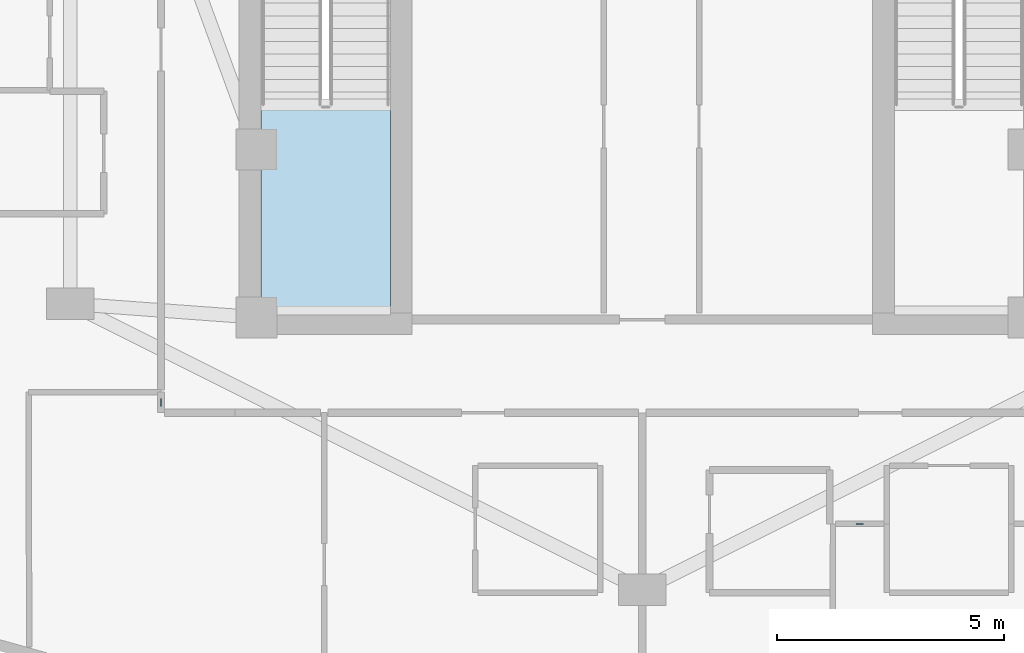
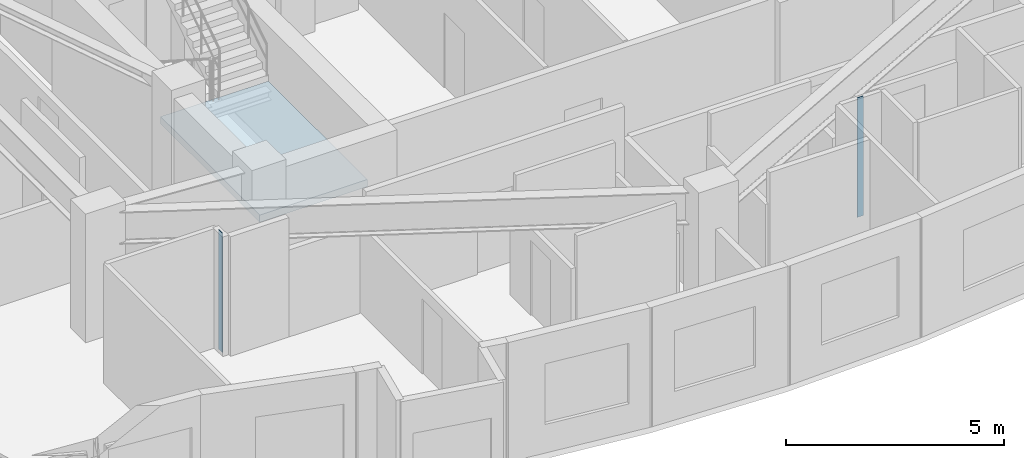
# One storey, part 2 of 13: 2 plates, 1 slab, 1 element without a shape of its own.
"""IFC4 building model written with IfcOpenShell, lengths in metres."""

from ifc_helpers import new_model, si_unit, direction, frame, origin, origin_2d, place, context, subcontext, project, spatial, polyline, rectangle, outline, extrude, material, layer, layer_set, type_object, element, aggregate, save


model = new_model("IFC4")

# Units and contexts
model_context = context("Model", 3, precision=1e-05, world=origin(), true_north=direction((0.0, 1.0)))
body_context = subcontext(model_context, "Body", "Model", "MODEL_VIEW")
ifc_project = project(units=[si_unit("LENGTHUNIT", "METRE"), si_unit("AREAUNIT", "SQUARE_METRE"), si_unit("VOLUMEUNIT", "CUBIC_METRE"), si_unit("PLANEANGLEUNIT", "RADIAN"), si_unit("MASSUNIT", "GRAM", prefix="KILO")], contexts=[model_context])

# Site, building, storey
site_placement = place(None, origin())
site = spatial("IfcSite", under=ifc_project, at=site_placement, CompositionType="ELEMENT")
building_placement = place(site_placement, origin())
building = spatial("IfcBuilding", under=site, at=building_placement, Name="Miruveldt Soraemaru", CompositionType="ELEMENT")
storey_placement = place(building_placement, frame((0.0, 0.0, 198.0)))
storey = spatial("IfcBuildingStorey", under=building, at=storey_placement, Name="L54", CompositionType="ELEMENT", Elevation=198.0)

# Plates
ifc_material_1 = material(Name="Anodised aluminium EN AW-6063 T6", Category="aluminium")
ifc_layer_1 = layer(ifc_material_1, 0.02001953125, Name="Anodised aluminium EN AW-6063 T6", Category="aluminium")
ifc_layer_set_1 = layer_set([ifc_layer_1], Name="Anodised aluminium EN AW-6063 T6")
plate_type = type_object("IfcPlateType", Name="PLT-PART-TRIM", PredefinedType="SHEET", material=ifc_layer_set_1)
for number, where, z_axis, x_axis, name in (
    (1, (48.7900390625, 30.949951171875, 0.0), (0.0, 0.0, 1.0), (1.0, 0.0, 0.0), "L54 Partition Step Corner Trim Plate 050"),
    (2, (33.39990234375, 33.6259765625, 0.0), (0.0, 0.0, 1.0), (0.0, -1.0, 0.0), "L54 Partition Step Corner Trim Plate 005"),
):
    element("IfcPlate", number, at=place(storey_placement, frame(where, z_axis=z_axis, x_axis=x_axis)), inside=storey, type_object=plate_type, Name=name, PredefinedType="SHEET", context=body_context, shape_type="SweptSolid", body=[
        extrude(rectangle(XDim=0.159912109375, YDim=0.02001953125, at=origin_2d()), origin(), (0.0, 0.0, 1.0), 3.344970703125),
    ])

# Stair, slab
ifc_material_2 = material(Name="Concrete C40/50 (40 MPa)", Category="concrete")
stair_type = type_object("IfcStairType", Name="STAIR-DL-360", PredefinedType="HALF_TURN_STAIR", material=ifc_material_2)
stair_placement = place(storey_placement, origin())
stair = element("IfcStair", 3, at=stair_placement, inside=storey, type_object=stair_type, Name="L54 Protected Exit Stair ST-1", PredefinedType="HALF_TURN_STAIR")
ifc_layer_2 = layer(ifc_material_2, 0.199951171875, Name="Concrete C40/50 (40 MPa)", Category="concrete")
ifc_layer_set_2 = layer_set([ifc_layer_2], Name="Concrete C40/50 (40 MPa)")
slab_type = type_object("IfcSlabType", Name="SLAB-LAND-200", PredefinedType="LANDING", material=ifc_layer_set_2)
slab_placement = place(storey_placement, frame((0.0, 0.0, 1.60009765625)))
slab = element("IfcSlab", 4, at=slab_placement, type_object=slab_type, Name="ST-1 landing 1", PredefinedType="LANDING", context=body_context, shape_type="SweptSolid", body=[
    extrude(outline(polyline([(35.60009765625, 40.197998046875), (35.60009765625, 35.64990234375), (38.449951171875, 35.64990234375), (38.449951171875, 40.197998046875), (35.60009765625, 40.197998046875)])), origin(), (0.0, 0.0, 1.0), 0.199951171875),
])
aggregate(stair, [slab])

save(model, "model.ifc")
